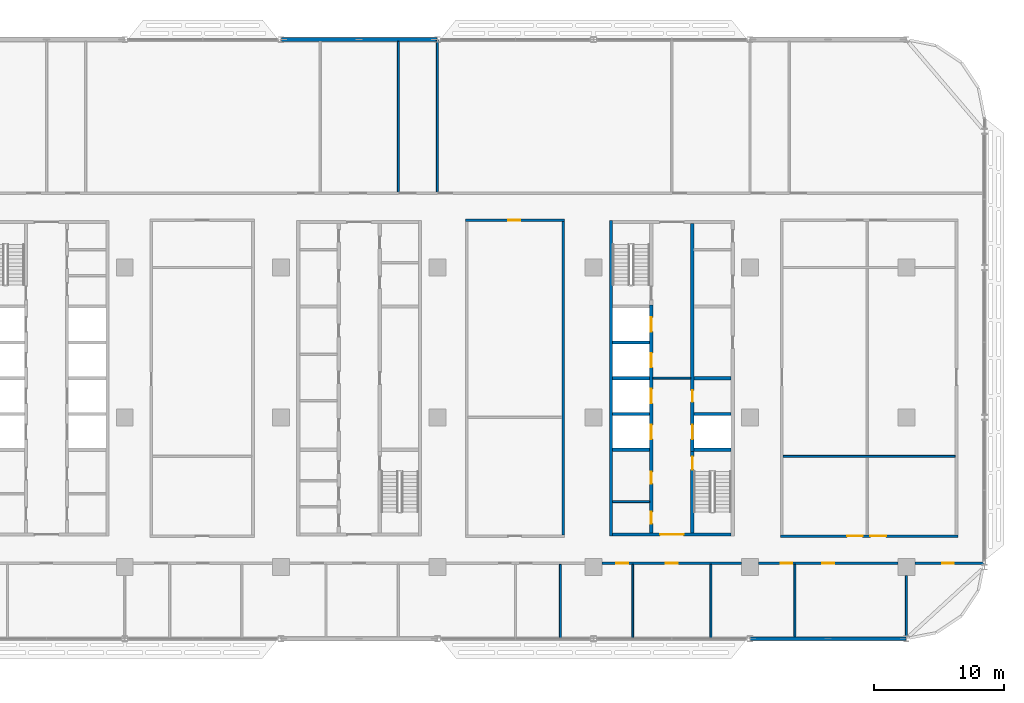
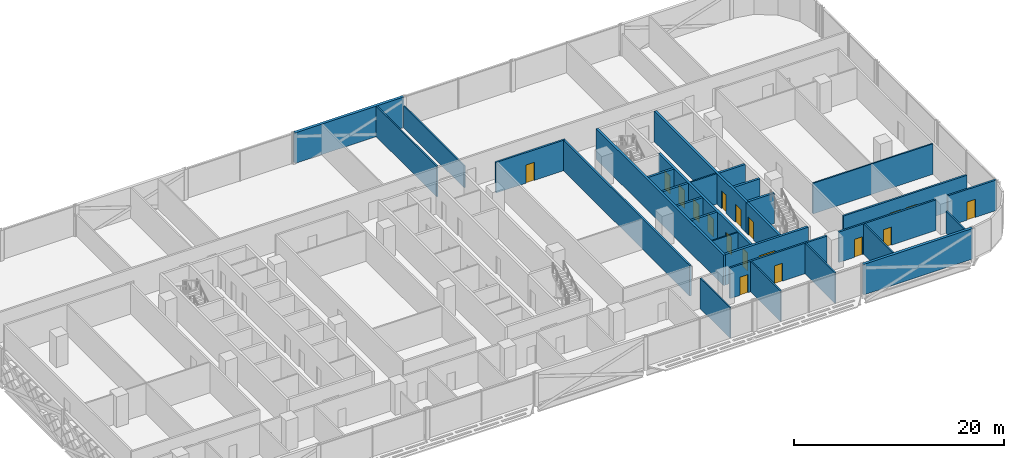
# One storey, part 17 of 29: 30 walls, 18 doors, 18 openings.
"""IFC4 building model written with IfcOpenShell, lengths in metres."""

from ifc_helpers import new_model, si_unit, direction, frame, frame_2d, origin, place, context, subcontext, project, spatial, rectangle, extrude, material, layer, layer_set, type_object, element, fill, save


model = new_model("IFC4")

# Units and contexts
model_context = context("Model", 3, precision=1e-05, world=origin(), true_north=direction((0.0, 1.0)))
body_context = subcontext(model_context, "Body", "Model", "MODEL_VIEW")
ifc_project = project(units=[si_unit("LENGTHUNIT", "METRE"), si_unit("AREAUNIT", "SQUARE_METRE"), si_unit("VOLUMEUNIT", "CUBIC_METRE"), si_unit("PLANEANGLEUNIT", "RADIAN"), si_unit("MASSUNIT", "GRAM", prefix="KILO")], contexts=[model_context])

# Site, building, storey
site_placement = place(None, origin())
site = spatial("IfcSite", under=ifc_project, at=site_placement, CompositionType="ELEMENT")
building_placement = place(site_placement, origin())
building = spatial("IfcBuilding", under=site, at=building_placement, Name="Mahtab Terrace Research Tower", CompositionType="ELEMENT")
storey_placement = place(building_placement, frame((0.0, 0.0, 150.699951171875)))
storey = spatial("IfcBuildingStorey", under=building, at=storey_placement, Name="L35", CompositionType="ELEMENT", Elevation=150.699951171875)

# Walls
ifc_material_1 = material(Name="Gypsum board partition")
ifc_layer_1 = layer(ifc_material_1, 0.14990234375)
ifc_layer_set_1 = layer_set([ifc_layer_1], Name="Core partition 150")
wall_type_1 = type_object("IfcWallType", Name="Core partition 150", PredefinedType="PARTITIONING", material=ifc_layer_set_1)
wall_1_placement = place(storey_placement, frame((22.550048828125, 3.0, 0.0), z_axis=(0.0, 0.0, 1.0), x_axis=(1.0, 0.0, 0.0)))
element("IfcWall", 1, at=wall_1_placement, inside=storey, type_object=wall_type_1, Name="Core wall C ffl", PredefinedType="PARTITIONING", context=body_context, shape_type="SweptSolid", body=[
    extrude(rectangle(XDim=2.89990234375, YDim=0.14990234375, at=frame_2d((1.449951171875, 0.0))), origin(), (0.0, 0.0, 1.0), 3.550048828125),
])
wall_2_placement = place(storey_placement, frame((19.449951171875, -6.47509765625, 0.0), z_axis=(0.0, 0.0, 1.0), x_axis=(1.0, 0.0, 0.0)))
element("IfcWall", 2, at=wall_2_placement, inside=storey, type_object=wall_type_1, Name="Core wall C pWS-948", PredefinedType="PARTITIONING", context=body_context, shape_type="SweptSolid", body=[
    extrude(rectangle(XDim=2.85009765625, YDim=0.14990234375, at=frame_2d((1.425048828125, 0.0))), origin(), (0.0, 0.0, 1.0), 3.550048828125),
])
ifc_material_2 = material(Name="Concrete C70/85", Category="concrete")
ifc_layer_2 = layer(ifc_material_2, 0.25)
ifc_layer_set_2 = layer_set([ifc_layer_2], Name="Core wall 250")
wall_type_2 = type_object("IfcWallType", Name="Core wall 250", PredefinedType="SOLIDWALL", material=ifc_layer_set_2)
wall_3_placement = place(storey_placement, frame((19.324951171875, 15.125, 0.0), z_axis=(0.0, 0.0, 1.0), x_axis=(0.0, -1.0, 0.0)))
element("IfcWall", 3, at=wall_3_placement, inside=storey, type_object=wall_type_2, Name="Core wall C outerW", PredefinedType="SOLIDWALL", context=body_context, shape_type="SweptSolid", body=[
    extrude(rectangle(XDim=24.25, YDim=0.25, at=frame_2d((12.125, 0.0))), origin(), (0.0, 0.0, 1.0), 3.550048828125),
])

# Wall, opening, door
wall_4_placement = place(storey_placement, frame((28.550048828125, -9.0, 0.0), z_axis=(0.0, 0.0, 1.0), x_axis=(-1.0, 0.0, 0.0)))
wall_4 = element("IfcWall", 4, at=wall_4_placement, inside=storey, type_object=wall_type_2, Name="Core wall C endS", PredefinedType="SOLIDWALL", context=body_context, shape_type="SweptSolid", body=[
    extrude(rectangle(XDim=9.10009765625, YDim=0.25, at=frame_2d((4.550048828125, 0.0))), origin(), (0.0, 0.0, 1.0), 3.550048828125),
])
opening_1_placement = place(wall_4_placement, frame((3.64990234375, 0.0, 0.0)))
opening_1 = element("IfcOpeningElement", 5, at=opening_1_placement, cuts=wall_4, Name="Opening C-S1", PredefinedType="OPENING", context=body_context, shape_type="SweptSolid", body=[
    extrude(rectangle(XDim=1.800048828125, YDim=2.10009765625, at=frame_2d((0.89990234375, 1.050048828125))), frame((0.0, 0.135009765625, 0.0), z_axis=(0.0, -1.0, 0.0), x_axis=(1.0, 0.0, 0.0)), (0.0, 0.0, 1.0), 0.27001953125),
])
ifc_material_3 = material(Name="Steel fire door", Category="steel")
door_type_1 = type_object("IfcDoorType", Name="Lobby double door 1800x2100 1 HR", OperationType="DOUBLE_DOOR_SINGLE_SWING", PredefinedType="DOOR", material=ifc_material_3)
door_1_placement = place(opening_1_placement, origin())
door_1 = element("IfcDoor", 6, at=door_1_placement, inside=storey, type_object=door_type_1, Name="Core entrance door C S", OperationType="DOUBLE_DOOR_SINGLE_SWING", OverallHeight=2.10009765625, OverallWidth=1.800048828125, PredefinedType="DOOR", context=body_context, shape_type="SweptSolid", body=[
    extrude(rectangle(XDim=1.800048828125, YDim=2.10009765625, at=frame_2d((0.89990234375, 1.050048828125))), frame((0.0, 0.02490234375, 0.0), z_axis=(0.0, -1.0, 0.0), x_axis=(1.0, 0.0, 0.0)), (0.0, 0.0, 1.0), 0.050048828125),
])
fill(opening_1, door_1)

# Wall, openings, doors
wall_5_placement = place(storey_placement, frame((22.425048828125, -8.875, 0.0), z_axis=(0.0, 0.0, 1.0), x_axis=(0.0, 1.0, 0.0)))
wall_5 = element("IfcWall", 7, at=wall_5_placement, inside=storey, type_object=wall_type_2, Name="Core wall C innerWSL", PredefinedType="SOLIDWALL", context=body_context, shape_type="SweptSolid", body=[
    extrude(rectangle(XDim=17.5, YDim=0.25, at=frame_2d((8.75, 0.0))), origin(), (0.0, 0.0, 1.0), 3.550048828125),
])
opening_2_placement = place(wall_5_placement, frame((7.199951171875, 0.0, 0.0)))
opening_2 = element("IfcOpeningElement", 8, at=opening_2_placement, cuts=wall_5, Name="Opening LD17-L35", PredefinedType="OPENING", context=body_context, shape_type="SweptSolid", body=[
    extrude(rectangle(XDim=1.10009765625, YDim=2.10009765625, at=frame_2d((0.550048828125, 1.050048828125))), frame((0.0, 0.135009765625, 0.0), z_axis=(0.0, -1.0, 0.0), x_axis=(1.0, 0.0, 0.0)), (0.0, 0.0, 1.0), 0.27001953125),
])
opening_3_placement = place(wall_5_placement, frame((9.949951171875, 0.0, 0.0)))
opening_3 = element("IfcOpeningElement", 9, at=opening_3_placement, cuts=wall_5, Name="Opening LD18-L35", PredefinedType="OPENING", context=body_context, shape_type="SweptSolid", body=[
    extrude(rectangle(XDim=1.10009765625, YDim=2.10009765625, at=frame_2d((0.550048828125, 1.050048828125))), frame((0.0, 0.135009765625, 0.0), z_axis=(0.0, -1.0, 0.0), x_axis=(1.0, 0.0, 0.0)), (0.0, 0.0, 1.0), 0.27001953125),
])
opening_4_placement = place(wall_5_placement, frame((12.699951171875, 0.0, 0.0)))
opening_4 = element("IfcOpeningElement", 10, at=opening_4_placement, cuts=wall_5, Name="Opening LD19-L35", PredefinedType="OPENING", context=body_context, shape_type="SweptSolid", body=[
    extrude(rectangle(XDim=1.10009765625, YDim=2.10009765625, at=frame_2d((0.550048828125, 1.050048828125))), frame((0.0, 0.135009765625, 0.0), z_axis=(0.0, -1.0, 0.0), x_axis=(1.0, 0.0, 0.0)), (0.0, 0.0, 1.0), 0.27001953125),
])
opening_5_placement = place(wall_5_placement, frame((15.449951171875, 0.0, 0.0)))
opening_5 = element("IfcOpeningElement", 11, at=opening_5_placement, cuts=wall_5, Name="Opening LD20-L35", PredefinedType="OPENING", context=body_context, shape_type="SweptSolid", body=[
    extrude(rectangle(XDim=1.10009765625, YDim=2.10009765625, at=frame_2d((0.550048828125, 1.050048828125))), frame((0.0, 0.135009765625, 0.0), z_axis=(0.0, -1.0, 0.0), x_axis=(1.0, 0.0, 0.0)), (0.0, 0.0, 1.0), 0.27001953125),
])
opening_6_placement = place(wall_5_placement, frame((0.71240234375, 0.0, 0.0)))
opening_6 = element("IfcOpeningElement", 12, at=opening_6_placement, cuts=wall_5, Name="Opening C-R3", PredefinedType="OPENING", context=body_context, shape_type="SweptSolid", body=[
    extrude(rectangle(XDim=0.89990234375, YDim=2.10009765625, at=frame_2d((0.449951171875, 1.050048828125))), frame((0.0, 0.135009765625, 0.0), z_axis=(0.0, -1.0, 0.0), x_axis=(1.0, 0.0, 0.0)), (0.0, 0.0, 1.0), 0.27001953125),
])
opening_7_placement = place(wall_5_placement, frame((3.78759765625, 0.0, 0.0)))
opening_7 = element("IfcOpeningElement", 13, at=opening_7_placement, cuts=wall_5, Name="Opening C-R4", PredefinedType="OPENING", context=body_context, shape_type="SweptSolid", body=[
    extrude(rectangle(XDim=0.89990234375, YDim=2.10009765625, at=frame_2d((0.449951171875, 1.050048828125))), frame((0.0, 0.135009765625, 0.0), z_axis=(0.0, -1.0, 0.0), x_axis=(1.0, 0.0, 0.0)), (0.0, 0.0, 1.0), 0.27001953125),
])
ifc_material_4 = material(Name="Stainless steel AISI 304", Category="steel")
door_type_2 = type_object("IfcDoorType", Name="Landing door 1100x2100", OperationType="DOUBLE_DOOR_SLIDING", PredefinedType="DOOR", material=ifc_material_4)
door_2_placement = place(opening_2_placement, origin())
door_2 = element("IfcDoor", 14, at=door_2_placement, inside=storey, type_object=door_type_2, Name="Landing door SV1 L35", OperationType="DOUBLE_DOOR_SLIDING", OverallHeight=2.10009765625, OverallWidth=1.10009765625, PredefinedType="DOOR", context=body_context, shape_type="SweptSolid", body=[
    extrude(rectangle(XDim=1.10009765625, YDim=2.10009765625, at=frame_2d((0.550048828125, 1.050048828125))), frame((0.0, 0.02490234375, 0.0), z_axis=(0.0, -1.0, 0.0), x_axis=(1.0, 0.0, 0.0)), (0.0, 0.0, 1.0), 0.050048828125),
])
fill(opening_2, door_2)
door_3_placement = place(opening_3_placement, origin())
door_3 = element("IfcDoor", 15, at=door_3_placement, inside=storey, type_object=door_type_2, Name="Landing door SV2 L35", OperationType="DOUBLE_DOOR_SLIDING", OverallHeight=2.10009765625, OverallWidth=1.10009765625, PredefinedType="DOOR", context=body_context, shape_type="SweptSolid", body=[
    extrude(rectangle(XDim=1.10009765625, YDim=2.10009765625, at=frame_2d((0.550048828125, 1.050048828125))), frame((0.0, 0.02490234375, 0.0), z_axis=(0.0, -1.0, 0.0), x_axis=(1.0, 0.0, 0.0)), (0.0, 0.0, 1.0), 0.050048828125),
])
fill(opening_3, door_3)
door_4_placement = place(opening_4_placement, origin())
door_4 = element("IfcDoor", 16, at=door_4_placement, inside=storey, type_object=door_type_2, Name="Landing door FF1 L35", OperationType="DOUBLE_DOOR_SLIDING", OverallHeight=2.10009765625, OverallWidth=1.10009765625, PredefinedType="DOOR", context=body_context, shape_type="SweptSolid", body=[
    extrude(rectangle(XDim=1.10009765625, YDim=2.10009765625, at=frame_2d((0.550048828125, 1.050048828125))), frame((0.0, 0.02490234375, 0.0), z_axis=(0.0, -1.0, 0.0), x_axis=(1.0, 0.0, 0.0)), (0.0, 0.0, 1.0), 0.050048828125),
])
fill(opening_4, door_4)
door_5_placement = place(opening_5_placement, origin())
door_5 = element("IfcDoor", 17, at=door_5_placement, inside=storey, type_object=door_type_2, Name="Landing door FF2 L35", OperationType="DOUBLE_DOOR_SLIDING", OverallHeight=2.10009765625, OverallWidth=1.10009765625, PredefinedType="DOOR", context=body_context, shape_type="SweptSolid", body=[
    extrude(rectangle(XDim=1.10009765625, YDim=2.10009765625, at=frame_2d((0.550048828125, 1.050048828125))), frame((0.0, 0.02490234375, 0.0), z_axis=(0.0, -1.0, 0.0), x_axis=(1.0, 0.0, 0.0)), (0.0, 0.0, 1.0), 0.050048828125),
])
fill(opening_5, door_5)
door_type_3 = type_object("IfcDoorType", Name="Room door 900x2100 1 HR", OperationType="NOTDEFINED", PredefinedType="DOOR", material=ifc_material_3)
door_6_placement = place(opening_6_placement, origin())
door_6 = element("IfcDoor", 18, at=door_6_placement, inside=storey, type_object=door_type_3, Name="Accessible WC door", OperationType="SINGLE_SWING_LEFT", OverallHeight=2.10009765625, OverallWidth=0.89990234375, PredefinedType="DOOR", context=body_context, shape_type="SweptSolid", body=[
    extrude(rectangle(XDim=0.89990234375, YDim=2.10009765625, at=frame_2d((0.449951171875, 1.050048828125))), frame((0.0, 0.02490234375, 0.0), z_axis=(0.0, -1.0, 0.0), x_axis=(1.0, 0.0, 0.0)), (0.0, 0.0, 1.0), 0.050048828125),
])
fill(opening_6, door_6)
door_7_placement = place(opening_7_placement, origin())
door_7 = element("IfcDoor", 19, at=door_7_placement, inside=storey, type_object=door_type_3, Name="WC block door", OperationType="SINGLE_SWING_RIGHT", OverallHeight=2.10009765625, OverallWidth=0.89990234375, PredefinedType="DOOR", context=body_context, shape_type="SweptSolid", body=[
    extrude(rectangle(XDim=0.89990234375, YDim=2.10009765625, at=frame_2d((0.449951171875, 1.050048828125))), frame((0.0, 0.02490234375, 0.0), z_axis=(0.0, -1.0, 0.0), x_axis=(1.0, 0.0, 0.0)), (0.0, 0.0, 1.0), 0.050048828125),
])
fill(opening_7, door_7)

# Wall, opening, door
wall_6_placement = place(storey_placement, frame((25.574951171875, -8.875, 0.0), z_axis=(0.0, 0.0, 1.0), x_axis=(0.0, 1.0, 0.0)))
wall_6 = element("IfcWall", 20, at=wall_6_placement, inside=storey, type_object=wall_type_2, Name="Core wall C innerES", PredefinedType="SOLIDWALL", context=body_context, shape_type="SweptSolid", body=[
    extrude(rectangle(XDim=6.25, YDim=0.25, at=frame_2d((3.125, 0.0))), origin(), (0.0, 0.0, 1.0), 3.550048828125),
])
opening_8_placement = place(wall_6_placement, frame((4.85009765625, 0.0, 0.0)))
opening_8 = element("IfcOpeningElement", 21, at=opening_8_placement, cuts=wall_6, Name="Opening C-ST4", PredefinedType="OPENING", context=body_context, shape_type="SweptSolid", body=[
    extrude(rectangle(XDim=1.0, YDim=2.10009765625, at=frame_2d((0.5, 1.050048828125))), frame((0.0, 0.135009765625, 0.0), z_axis=(0.0, -1.0, 0.0), x_axis=(1.0, 0.0, 0.0)), (0.0, 0.0, 1.0), 0.27001953125),
])
door_type_4 = type_object("IfcDoorType", Name="Stair door 1000x2100 1.5 HR", OperationType="NOTDEFINED", PredefinedType="DOOR", material=ifc_material_3)
door_8_placement = place(opening_8_placement, origin())
door_8 = element("IfcDoor", 22, at=door_8_placement, inside=storey, type_object=door_type_4, Name="Stair door ST4 L35", OperationType="SINGLE_SWING_RIGHT", OverallHeight=2.10009765625, OverallWidth=1.0, PredefinedType="DOOR", context=body_context, shape_type="SweptSolid", body=[
    extrude(rectangle(XDim=1.0, YDim=2.10009765625, at=frame_2d((0.5, 1.050048828125))), frame((0.0, 0.02490234375, 0.0), z_axis=(0.0, -1.0, 0.0), x_axis=(1.0, 0.0, 0.0)), (0.0, 0.0, 1.0), 0.050048828125),
])
fill(opening_8, door_8)

# Wall, openings, doors
wall_7_placement = place(storey_placement, frame((25.574951171875, 14.875, 0.0), z_axis=(0.0, 0.0, 1.0), x_axis=(0.0, -1.0, 0.0)))
wall_7 = element("IfcWall", 23, at=wall_7_placement, inside=storey, type_object=wall_type_2, Name="Core wall C innerELN", PredefinedType="SOLIDWALL", context=body_context, shape_type="SweptSolid", body=[
    extrude(rectangle(XDim=17.5, YDim=0.25, at=frame_2d((8.75, 0.0))), origin(), (0.0, 0.0, 1.0), 3.550048828125),
])
opening_9_placement = place(wall_7_placement, frame((15.449951171875, 0.0, 0.0)))
opening_9 = element("IfcOpeningElement", 24, at=opening_9_placement, cuts=wall_7, Name="Opening LD21-L35", PredefinedType="OPENING", context=body_context, shape_type="SweptSolid", body=[
    extrude(rectangle(XDim=1.10009765625, YDim=2.10009765625, at=frame_2d((0.550048828125, 1.050048828125))), frame((0.0, 0.135009765625, 0.0), z_axis=(0.0, -1.0, 0.0), x_axis=(1.0, 0.0, 0.0)), (0.0, 0.0, 1.0), 0.27001953125),
])
opening_10_placement = place(wall_7_placement, frame((12.800048828125, 0.0, 0.0)))
opening_10 = element("IfcOpeningElement", 25, at=opening_10_placement, cuts=wall_7, Name="Opening C-R1", PredefinedType="OPENING", context=body_context, shape_type="SweptSolid", body=[
    extrude(rectangle(XDim=0.89990234375, YDim=2.10009765625, at=frame_2d((0.449951171875, 1.050048828125))), frame((0.0, 0.135009765625, 0.0), z_axis=(0.0, -1.0, 0.0), x_axis=(1.0, 0.0, 0.0)), (0.0, 0.0, 1.0), 0.27001953125),
])
door_9_placement = place(opening_9_placement, origin())
door_9 = element("IfcDoor", 26, at=door_9_placement, inside=storey, type_object=door_type_2, Name="Landing door SV3 L35", OperationType="DOUBLE_DOOR_SLIDING", OverallHeight=2.10009765625, OverallWidth=1.10009765625, PredefinedType="DOOR", context=body_context, shape_type="SweptSolid", body=[
    extrude(rectangle(XDim=1.10009765625, YDim=2.10009765625, at=frame_2d((0.550048828125, 1.050048828125))), frame((0.0, 0.02490234375, 0.0), z_axis=(0.0, -1.0, 0.0), x_axis=(1.0, 0.0, 0.0)), (0.0, 0.0, 1.0), 0.050048828125),
])
fill(opening_9, door_9)
door_10_placement = place(opening_10_placement, origin())
door_10 = element("IfcDoor", 27, at=door_10_placement, inside=storey, type_object=door_type_3, Name="Plant room door", OperationType="SINGLE_SWING_LEFT", OverallHeight=2.10009765625, OverallWidth=0.89990234375, PredefinedType="DOOR", context=body_context, shape_type="SweptSolid", body=[
    extrude(rectangle(XDim=0.89990234375, YDim=2.10009765625, at=frame_2d((0.449951171875, 1.050048828125))), frame((0.0, 0.02490234375, 0.0), z_axis=(0.0, -1.0, 0.0), x_axis=(1.0, 0.0, 0.0)), (0.0, 0.0, 1.0), 0.050048828125),
])
fill(opening_10, door_10)

# Walls
for number, where, z_axis, x_axis, name in (
    (28, (19.449951171875, -2.5, 0.0), (0.0, 0.0, 1.0), (1.0, 0.0, 0.0), "Core wall C divW0"),
    (29, (19.449951171875, 0.25, 0.0), (0.0, 0.0, 1.0), (1.0, 0.0, 0.0), "Core wall C divW1"),
    (30, (19.449951171875, 3.0, 0.0), (0.0, 0.0, 1.0), (1.0, 0.0, 0.0), "Core wall C divW2"),
    (31, (19.449951171875, 5.75, 0.0), (0.0, 0.0, 1.0), (1.0, 0.0, 0.0), "Core wall C divW3"),
    (32, (25.699951171875, -2.5, 0.0), (0.0, 0.0, 1.0), (1.0, 0.0, 0.0), "Core wall C divE0"),
    (33, (25.699951171875, 0.25, 0.0), (0.0, 0.0, 1.0), (1.0, 0.0, 0.0), "Core wall C divE1"),
    (34, (25.699951171875, 3.0, 0.0), (0.0, 0.0, 1.0), (1.0, 0.0, 0.0), "Core wall C divE2"),
):
    element("IfcWall", number, at=place(storey_placement, frame(where, z_axis=z_axis, x_axis=x_axis)), inside=storey, type_object=wall_type_2, Name=name, PredefinedType="SOLIDWALL", context=body_context, shape_type="SweptSolid", body=[
        extrude(rectangle(XDim=2.85009765625, YDim=0.25, at=frame_2d((1.425048828125, 0.0))), origin(), (0.0, 0.0, 1.0), 3.550048828125),
    ])
ifc_material_5 = material(Name="Black aluminium cladding panel", Category="aluminium")
ifc_layer_3 = layer(ifc_material_5, 0.300048828125)
ifc_layer_set_3 = layer_set([ifc_layer_3], Name="Opaque facade wall 300")
wall_type_3 = type_object("IfcWallType", Name="Opaque facade wall 300", PredefinedType="NOTDEFINED", material=ifc_layer_set_3)
for number, where, z_axis, x_axis, name in (
    (35, (5.982177734375, 29.0, 0.0), (0.0, 0.0, 1.0), (-1.0, 0.0, 0.0), "Opaque facade wall L35 N6"),
    (36, (30.017822265625, -17.0, 0.0), (0.0, 0.0, 1.0), (1.0, 0.0, 0.0), "Opaque facade wall L35 S30"),
):
    element("IfcWall", number, at=place(storey_placement, frame(where, z_axis=z_axis, x_axis=x_axis)), inside=storey, type_object=wall_type_3, Name=name, PredefinedType="NOTDEFINED", context=body_context, shape_type="SweptSolid", body=[
        extrude(rectangle(XDim=11.96435546875, YDim=0.300048828125, at=frame_2d((5.982177734375, 0.0))), origin(), (0.0, 0.0, 1.0), 3.550048828125),
    ])

# Wall, openings, doors
ifc_material_6 = material(Name="Gypsum board corridor wall on steel studs", Category="steel")
ifc_layer_4 = layer(ifc_material_6, 0.199951171875)
ifc_layer_set_4 = layer_set([ifc_layer_4], Name="WALL CORRIDOR 200")
wall_type_4 = type_object("IfcWallType", Name="WALL CORRIDOR 200", PredefinedType="PARTITIONING", material=ifc_layer_set_4)
wall_8_placement = place(storey_placement, frame((18.64990234375, -11.199951171875, 0.0), z_axis=(0.0, 0.0, 1.0), x_axis=(1.0, 0.0, 0.0)))
wall_8 = element("IfcWall", 37, at=wall_8_placement, inside=storey, type_object=wall_type_4, Name="L35-W007", PredefinedType="PARTITIONING", context=body_context, shape_type="SweptSolid", body=[
    extrude(rectangle(XDim=10.7001953125, YDim=0.199951171875, at=frame_2d((5.35009765625, 0.0))), origin(), (0.0, 0.0, 1.0), 3.550048828125),
])
opening_11_placement = place(wall_8_placement, frame((1.10009765625, 0.0, 0.0)))
opening_11 = element("IfcOpeningElement", 38, at=opening_11_placement, cuts=wall_8, Name="Opening L35-111", PredefinedType="OPENING", context=body_context, shape_type="SweptSolid", body=[
    extrude(rectangle(XDim=0.89990234375, YDim=2.10009765625, at=frame_2d((0.449951171875, 1.050048828125))), frame((0.0, 0.10986328125, 0.0), z_axis=(0.0, -1.0, 0.0), x_axis=(1.0, 0.0, 0.0)), (0.0, 0.0, 1.0), 0.219970703125),
])
opening_12_placement = place(wall_8_placement, frame((4.89990234375, 0.0, 0.0)))
opening_12 = element("IfcOpeningElement", 39, at=opening_12_placement, cuts=wall_8, Name="Opening L35-112", PredefinedType="OPENING", context=body_context, shape_type="SweptSolid", body=[
    extrude(rectangle(XDim=0.89990234375, YDim=2.10009765625, at=frame_2d((0.449951171875, 1.050048828125))), frame((0.0, 0.10986328125, 0.0), z_axis=(0.0, -1.0, 0.0), x_axis=(1.0, 0.0, 0.0)), (0.0, 0.0, 1.0), 0.219970703125),
])
ifc_material_7 = material(Name="Timber door leaf in steel frame", Category="steel")
door_type_5 = type_object("IfcDoorType", Name="DOOR 0900X2100 FD30S", OperationType="SINGLE_SWING_LEFT", PredefinedType="DOOR", material=ifc_material_7)
door_11_placement = place(opening_11_placement, origin())
door_11 = element("IfcDoor", 40, at=door_11_placement, inside=storey, type_object=door_type_5, Name="Door L35-111", OperationType="SINGLE_SWING_RIGHT", OverallHeight=2.10009765625, OverallWidth=0.89990234375, PredefinedType="DOOR", context=body_context, shape_type="SweptSolid", body=[
    extrude(rectangle(XDim=0.89990234375, YDim=2.10009765625, at=frame_2d((0.449951171875, 1.050048828125))), frame((0.0, 0.02490234375, 0.0), z_axis=(0.0, -1.0, 0.0), x_axis=(1.0, 0.0, 0.0)), (0.0, 0.0, 1.0), 0.050048828125),
])
fill(opening_11, door_11)
door_12_placement = place(opening_12_placement, origin())
door_12 = element("IfcDoor", 41, at=door_12_placement, inside=storey, type_object=door_type_5, Name="Door L35-112", OperationType="SINGLE_SWING_RIGHT", OverallHeight=2.10009765625, OverallWidth=0.89990234375, PredefinedType="DOOR", context=body_context, shape_type="SweptSolid", body=[
    extrude(rectangle(XDim=0.89990234375, YDim=2.10009765625, at=frame_2d((0.449951171875, 1.050048828125))), frame((0.0, 0.02490234375, 0.0), z_axis=(0.0, -1.0, 0.0), x_axis=(1.0, 0.0, 0.0)), (0.0, 0.0, 1.0), 0.050048828125),
])
fill(opening_12, door_12)

wall_9_placement = place(storey_placement, frame((30.64990234375, -11.199951171875, 0.0), z_axis=(0.0, 0.0, 1.0), x_axis=(1.0, 0.0, 0.0)))
wall_9 = element("IfcWall", 42, at=wall_9_placement, inside=storey, type_object=wall_type_4, Name="L35-W008", PredefinedType="PARTITIONING", context=body_context, shape_type="SweptSolid", body=[
    extrude(rectangle(XDim=10.7001953125, YDim=0.199951171875, at=frame_2d((5.35009765625, 0.0))), origin(), (0.0, 0.0, 1.0), 3.550048828125),
])
opening_13_placement = place(wall_9_placement, frame((1.699951171875, 0.0, 0.0)))
opening_13 = element("IfcOpeningElement", 43, at=opening_13_placement, cuts=wall_9, Name="Opening L35-113", PredefinedType="OPENING", context=body_context, shape_type="SweptSolid", body=[
    extrude(rectangle(XDim=0.89990234375, YDim=2.10009765625, at=frame_2d((0.449951171875, 1.050048828125))), frame((0.0, 0.10986328125, 0.0), z_axis=(0.0, -1.0, 0.0), x_axis=(1.0, 0.0, 0.0)), (0.0, 0.0, 1.0), 0.219970703125),
])
opening_14_placement = place(wall_9_placement, frame((4.89990234375, 0.0, 0.0)))
opening_14 = element("IfcOpeningElement", 44, at=opening_14_placement, cuts=wall_9, Name="Opening L35-114", PredefinedType="OPENING", context=body_context, shape_type="SweptSolid", body=[
    extrude(rectangle(XDim=0.89990234375, YDim=2.10009765625, at=frame_2d((0.449951171875, 1.050048828125))), frame((0.0, 0.10986328125, 0.0), z_axis=(0.0, -1.0, 0.0), x_axis=(1.0, 0.0, 0.0)), (0.0, 0.0, 1.0), 0.219970703125),
])
door_13_placement = place(opening_13_placement, origin())
door_13 = element("IfcDoor", 45, at=door_13_placement, inside=storey, type_object=door_type_5, Name="Door L35-113", OperationType="SINGLE_SWING_RIGHT", OverallHeight=2.10009765625, OverallWidth=0.89990234375, PredefinedType="DOOR", context=body_context, shape_type="SweptSolid", body=[
    extrude(rectangle(XDim=0.89990234375, YDim=2.10009765625, at=frame_2d((0.449951171875, 1.050048828125))), frame((0.0, 0.02490234375, 0.0), z_axis=(0.0, -1.0, 0.0), x_axis=(1.0, 0.0, 0.0)), (0.0, 0.0, 1.0), 0.050048828125),
])
fill(opening_13, door_13)
door_14_placement = place(opening_14_placement, origin())
door_14 = element("IfcDoor", 46, at=door_14_placement, inside=storey, type_object=door_type_5, Name="Door L35-114", OperationType="SINGLE_SWING_RIGHT", OverallHeight=2.10009765625, OverallWidth=0.89990234375, PredefinedType="DOOR", context=body_context, shape_type="SweptSolid", body=[
    extrude(rectangle(XDim=0.89990234375, YDim=2.10009765625, at=frame_2d((0.449951171875, 1.050048828125))), frame((0.0, 0.02490234375, 0.0), z_axis=(0.0, -1.0, 0.0), x_axis=(1.0, 0.0, 0.0)), (0.0, 0.0, 1.0), 0.050048828125),
])
fill(opening_14, door_14)

# Wall, opening, door
wall_10_placement = place(storey_placement, frame((42.64990234375, -11.199951171875, 0.0), z_axis=(0.0, 0.0, 1.0), x_axis=(1.0, 0.0, 0.0)))
wall_10 = element("IfcWall", 47, at=wall_10_placement, inside=storey, type_object=wall_type_4, Name="L35-W009", PredefinedType="PARTITIONING", context=body_context, shape_type="SweptSolid", body=[
    extrude(rectangle(XDim=5.3251953125, YDim=0.199951171875, at=frame_2d((2.66259765625, 0.0))), origin(), (0.0, 0.0, 1.0), 3.550048828125),
])
opening_15_placement = place(wall_10_placement, frame((2.10009765625, 0.0, 0.0)))
opening_15 = element("IfcOpeningElement", 48, at=opening_15_placement, cuts=wall_10, Name="Opening L35-115", PredefinedType="OPENING", context=body_context, shape_type="SweptSolid", body=[
    extrude(rectangle(XDim=0.89990234375, YDim=2.10009765625, at=frame_2d((0.449951171875, 1.050048828125))), frame((0.0, 0.10986328125, 0.0), z_axis=(0.0, -1.0, 0.0), x_axis=(1.0, 0.0, 0.0)), (0.0, 0.0, 1.0), 0.219970703125),
])
door_15_placement = place(opening_15_placement, origin())
door_15 = element("IfcDoor", 49, at=door_15_placement, inside=storey, type_object=door_type_5, Name="Door L35-115", OperationType="SINGLE_SWING_RIGHT", OverallHeight=2.10009765625, OverallWidth=0.89990234375, PredefinedType="DOOR", context=body_context, shape_type="SweptSolid", body=[
    extrude(rectangle(XDim=0.89990234375, YDim=2.10009765625, at=frame_2d((0.449951171875, 1.050048828125))), frame((0.0, 0.02490234375, 0.0), z_axis=(0.0, -1.0, 0.0), x_axis=(1.0, 0.0, 0.0)), (0.0, 0.0, 1.0), 0.050048828125),
])
fill(opening_15, door_15)

# Wall, openings, doors
wall_11_placement = place(storey_placement, frame((32.35009765625, -9.125, 0.0), z_axis=(0.0, 0.0, 1.0), x_axis=(1.0, 0.0, 0.0)))
wall_11 = element("IfcWall", 50, at=wall_11_placement, inside=storey, type_object=wall_type_4, Name="L35-W013", PredefinedType="PARTITIONING", context=body_context, shape_type="SweptSolid", body=[
    extrude(rectangle(XDim=13.599853515625, YDim=0.199951171875, at=frame_2d((6.7998046875, 0.0))), origin(), (0.0, 0.0, 1.0), 3.550048828125),
])
opening_16_placement = place(wall_11_placement, frame((5.10009765625, 0.0, 0.0)))
opening_16 = element("IfcOpeningElement", 51, at=opening_16_placement, cuts=wall_11, Name="Opening L35-117", PredefinedType="OPENING", context=body_context, shape_type="SweptSolid", body=[
    extrude(rectangle(XDim=1.199951171875, YDim=2.10009765625, at=frame_2d((0.60009765625, 1.050048828125))), frame((0.0, 0.10986328125, 0.0), z_axis=(0.0, -1.0, 0.0), x_axis=(1.0, 0.0, 0.0)), (0.0, 0.0, 1.0), 0.219970703125),
])
opening_17_placement = place(wall_11_placement, frame((6.89990234375, 0.0, 0.0)))
opening_17 = element("IfcOpeningElement", 52, at=opening_17_placement, cuts=wall_11, Name="Opening L35-118", PredefinedType="OPENING", context=body_context, shape_type="SweptSolid", body=[
    extrude(rectangle(XDim=1.199951171875, YDim=2.10009765625, at=frame_2d((0.60009765625, 1.050048828125))), frame((0.0, 0.10986328125, 0.0), z_axis=(0.0, -1.0, 0.0), x_axis=(1.0, 0.0, 0.0)), (0.0, 0.0, 1.0), 0.219970703125),
])
door_type_6 = type_object("IfcDoorType", Name="DOOR 1200X2100 FD30S", OperationType="SINGLE_SWING_LEFT", PredefinedType="DOOR", material=ifc_material_7)
door_16_placement = place(opening_16_placement, origin())
door_16 = element("IfcDoor", 53, at=door_16_placement, inside=storey, type_object=door_type_6, Name="Door L35-117", OperationType="SINGLE_SWING_LEFT", OverallHeight=2.10009765625, OverallWidth=1.199951171875, PredefinedType="DOOR", context=body_context, shape_type="SweptSolid", body=[
    extrude(rectangle(XDim=1.199951171875, YDim=2.10009765625, at=frame_2d((0.60009765625, 1.050048828125))), frame((0.0, 0.02490234375, 0.0), z_axis=(0.0, -1.0, 0.0), x_axis=(1.0, 0.0, 0.0)), (0.0, 0.0, 1.0), 0.050048828125),
])
fill(opening_16, door_16)
door_17_placement = place(opening_17_placement, origin())
door_17 = element("IfcDoor", 54, at=door_17_placement, inside=storey, type_object=door_type_6, Name="Door L35-118", OperationType="SINGLE_SWING_RIGHT", OverallHeight=2.10009765625, OverallWidth=1.199951171875, PredefinedType="DOOR", context=body_context, shape_type="SweptSolid", body=[
    extrude(rectangle(XDim=1.199951171875, YDim=2.10009765625, at=frame_2d((0.60009765625, 1.050048828125))), frame((0.0, 0.02490234375, 0.0), z_axis=(0.0, -1.0, 0.0), x_axis=(1.0, 0.0, 0.0)), (0.0, 0.0, 1.0), 0.050048828125),
])
fill(opening_17, door_17)

# Wall, opening, door
wall_12_placement = place(storey_placement, frame((8.14990234375, 15.125, 0.0), z_axis=(0.0, 0.0, 1.0), x_axis=(1.0, 0.0, 0.0)))
wall_12 = element("IfcWall", 55, at=wall_12_placement, inside=storey, type_object=wall_type_4, Name="L35-W024", PredefinedType="PARTITIONING", context=body_context, shape_type="SweptSolid", body=[
    extrude(rectangle(XDim=7.60009765625, YDim=0.199951171875, at=frame_2d((3.800048828125, 0.0))), origin(), (0.0, 0.0, 1.0), 3.550048828125),
])
opening_18_placement = place(wall_12_placement, frame((3.300048828125, 0.0, 0.0)))
opening_18 = element("IfcOpeningElement", 56, at=opening_18_placement, cuts=wall_12, Name="Opening L35-127", PredefinedType="OPENING", context=body_context, shape_type="SweptSolid", body=[
    extrude(rectangle(XDim=0.89990234375, YDim=2.10009765625, at=frame_2d((0.449951171875, 1.050048828125))), frame((0.0, 0.10986328125, 0.0), z_axis=(0.0, -1.0, 0.0), x_axis=(1.0, 0.0, 0.0)), (0.0, 0.0, 1.0), 0.219970703125),
])
door_18_placement = place(opening_18_placement, origin())
door_18 = element("IfcDoor", 57, at=door_18_placement, inside=storey, type_object=door_type_5, Name="Door L35-127", OperationType="SINGLE_SWING_RIGHT", OverallHeight=2.10009765625, OverallWidth=0.89990234375, PredefinedType="DOOR", context=body_context, shape_type="SweptSolid", body=[
    extrude(rectangle(XDim=0.89990234375, YDim=2.10009765625, at=frame_2d((0.449951171875, 1.050048828125))), frame((0.0, 0.02490234375, 0.0), z_axis=(0.0, -1.0, 0.0), x_axis=(1.0, 0.0, 0.0)), (0.0, 0.0, 1.0), 0.050048828125),
])
fill(opening_18, door_18)

# Walls
wall_13_placement = place(storey_placement, frame((15.64990234375, -9.02490234375, 0.0), z_axis=(0.0, 0.0, 1.0), x_axis=(0.0, 1.0, 0.0)))
element("IfcWall", 58, at=wall_13_placement, inside=storey, type_object=wall_type_4, Name="L35-W049", PredefinedType="PARTITIONING", context=body_context, shape_type="SweptSolid", body=[
    extrude(rectangle(XDim=24.0498046875, YDim=0.199951171875, at=frame_2d((12.02490234375, 0.0))), origin(), (0.0, 0.0, 1.0), 3.550048828125),
])
ifc_material_8 = material(Name="Gypsum board partition on steel studs", Category="steel")
ifc_layer_5 = layer(ifc_material_8, 0.14990234375)
ifc_layer_set_5 = layer_set([ifc_layer_5], Name="WALL PARTITION 150")
wall_type_5 = type_object("IfcWallType", Name="WALL PARTITION 150", PredefinedType="PARTITIONING", material=ifc_layer_set_5)
wall_14_placement = place(storey_placement, frame((32.550048828125, -3.0, 0.0), z_axis=(0.0, 0.0, 1.0), x_axis=(1.0, 0.0, 0.0)))
element("IfcWall", 59, at=wall_14_placement, inside=storey, type_object=wall_type_5, Name="L35-W015", PredefinedType="PARTITIONING", context=body_context, shape_type="SweptSolid", body=[
    extrude(rectangle(XDim=13.199951171875, YDim=0.14990234375, at=frame_2d((6.60009765625, 0.0))), origin(), (0.0, 0.0, 1.0), 3.550048828125),
])
wall_15_placement = place(storey_placement, frame((3.0, 17.300048828125, 0.0), z_axis=(0.0, 0.0, 1.0), x_axis=(0.0, 1.0, 0.0)))
element("IfcWall", 60, at=wall_15_placement, inside=storey, type_object=wall_type_5, Name="L35-W044", PredefinedType="PARTITIONING", context=body_context, shape_type="SweptSolid", body=[
    extrude(rectangle(XDim=11.550048828125, YDim=0.14990234375, at=frame_2d((5.77490234375, 0.0))), origin(), (0.0, 0.0, 1.0), 3.550048828125),
])
wall_16_placement = place(storey_placement, frame((6.0, 17.300048828125, 0.0), z_axis=(0.0, 0.0, 1.0), x_axis=(0.0, 1.0, 0.0)))
element("IfcWall", 61, at=wall_16_placement, inside=storey, type_object=wall_type_5, Name="L35-W045", PredefinedType="PARTITIONING", context=body_context, shape_type="SweptSolid", body=[
    extrude(rectangle(XDim=11.675048828125, YDim=0.14990234375, at=frame_2d((5.83740234375, 0.0))), origin(), (0.0, 0.0, 1.0), 2.55126953125),
])
for number, where, z_axis, x_axis, name in (
    (62, (15.449951171875, -16.97509765625, 0.0), (0.0, 0.0, 1.0), (0.0, 1.0, 0.0), "L35-W048"),
    (63, (21.0, -16.97509765625, 0.0), (0.0, 0.0, 1.0), (0.0, 1.0, 0.0), "L35-W050"),
    (64, (27.0, -16.97509765625, 0.0), (0.0, 0.0, 1.0), (0.0, 1.0, 0.0), "L35-W052"),
):
    element("IfcWall", number, at=place(storey_placement, frame(where, z_axis=z_axis, x_axis=x_axis)), inside=storey, type_object=wall_type_5, Name=name, PredefinedType="PARTITIONING", context=body_context, shape_type="SweptSolid", body=[
        extrude(rectangle(XDim=5.675048828125, YDim=0.14990234375, at=frame_2d((2.83740234375, 0.0))), origin(), (0.0, 0.0, 1.0), 3.550048828125),
    ])
wall_17_placement = place(storey_placement, frame((33.449951171875, -16.85009765625, 0.0), z_axis=(0.0, 0.0, 1.0), x_axis=(0.0, 1.0, 0.0)))
element("IfcWall", 65, at=wall_17_placement, inside=storey, type_object=wall_type_5, Name="L35-W056", PredefinedType="PARTITIONING", context=body_context, shape_type="SweptSolid", body=[
    extrude(rectangle(XDim=5.550048828125, YDim=0.14990234375, at=frame_2d((2.77490234375, 0.0))), origin(), (0.0, 0.0, 1.0), 3.550048828125),
])
wall_18_placement = place(storey_placement, frame((42.0, -16.84716796875, 0.0), z_axis=(0.0, 0.0, 1.0), x_axis=(0.0, 1.0, 0.0)))
element("IfcWall", 66, at=wall_18_placement, inside=storey, type_object=wall_type_5, Name="L35-W058", PredefinedType="PARTITIONING", context=body_context, shape_type="SweptSolid", body=[
    extrude(rectangle(XDim=4.697265625, YDim=0.14990234375, at=frame_2d((2.3486328125, 0.0))), origin(), (0.0, 0.0, 1.0), 2.55126953125),
])

save(model, "model.ifc")
